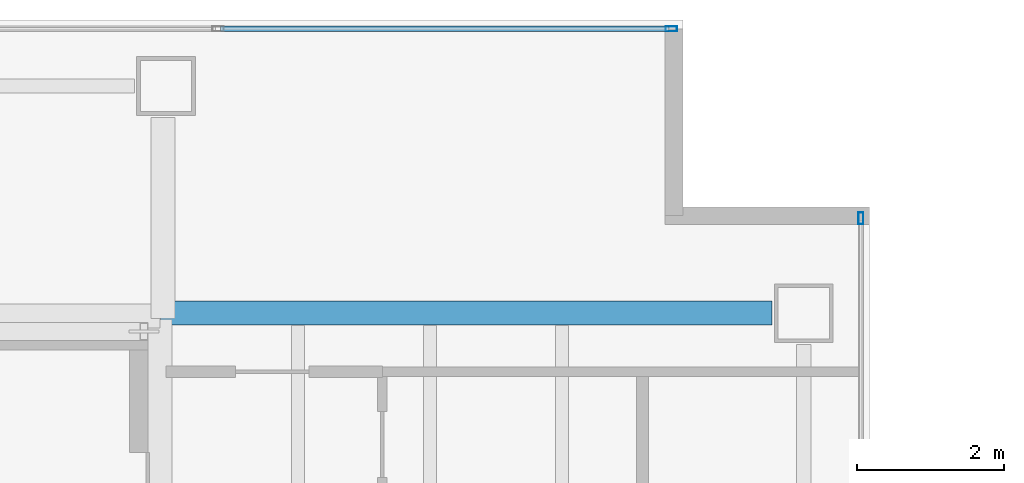
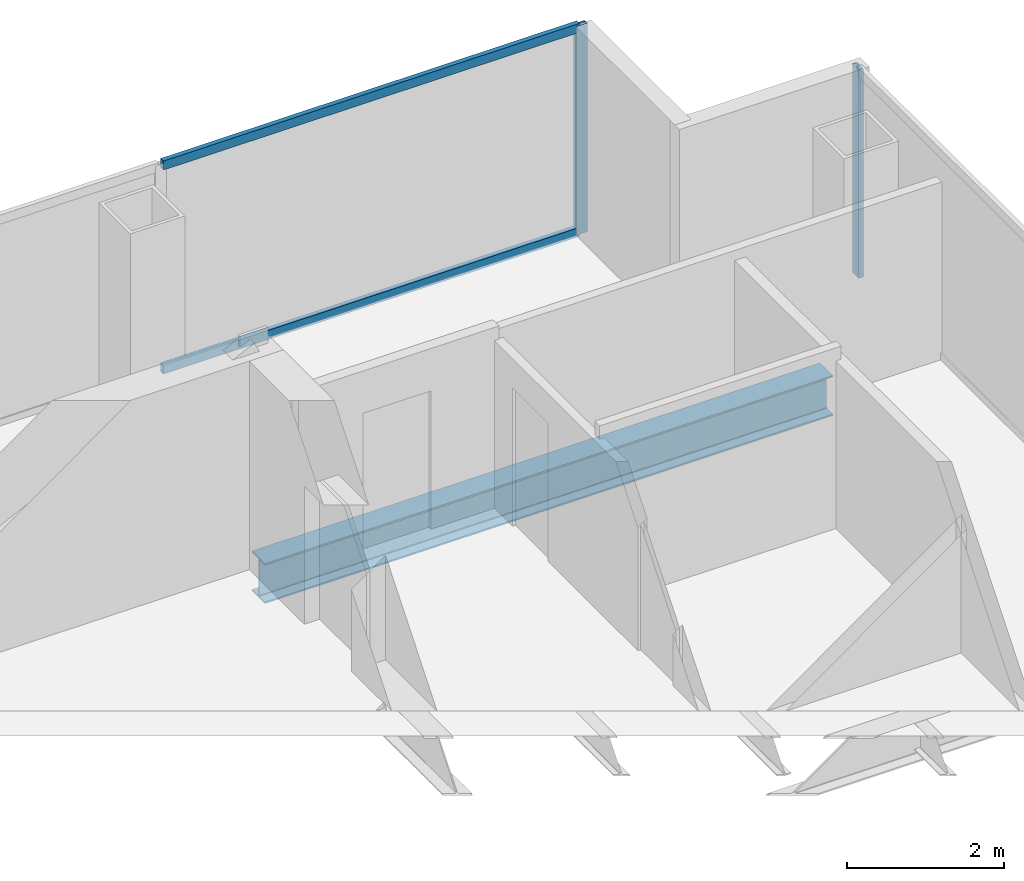
# One storey, part 18 of 23: 4 members, 1 beam, 2 elements without a shape of their own.
"""IFC4 building model written with IfcOpenShell, lengths in metres."""

import ifcopenshell
import ifcopenshell.guid

model = None  # the IFC model being written
_history = None  # IfcOwnerHistory: only IFC2X3 demands one
_inside = {}  # id of a spatial element -> (the spatial element, [elements in it])
_under = {}  # id of a project, library or spatial element -> (it, [spatial elements below it])
_declared = {}  # id of a project -> (the project, [libraries it declares])
_typed = {}  # id of a type object -> (the type object, [elements of that type])
_made_of = {}  # id of a material, layer set ... -> (it, [elements and type objects made of it])


def new_model(schema):
    """Start an empty IFC model of exactly this schema.

    Asked for "IFC4X3", IfcOpenShell would pick the latest addendum, in which some entities
    have other attributes; the version numbers below select the first issue.
    IFC2X3 requires an IfcOwnerHistory on every rooted entity: one is made here for all.
    """
    global model, _history
    if schema == "IFC4X3":
        model = ifcopenshell.file(schema_version=(4, 3, 0, 0))
    else:
        model = ifcopenshell.file(schema=schema)
    _inside.clear()
    _under.clear()
    _declared.clear()
    _typed.clear()
    _made_of.clear()
    _history = None
    if model.schema == "IFC2X3":
        org = make("IfcOrganization", Name="unknown")
        user = make(
            "IfcPersonAndOrganization",
            ThePerson=make("IfcPerson", FamilyName="unknown"),
            TheOrganization=org,
        )
        app = make(
            "IfcApplication",
            ApplicationDeveloper=org,
            Version="unknown",
            ApplicationFullName="unknown",
            ApplicationIdentifier="unknown",
        )
        _history = make(
            "IfcOwnerHistory",
            OwningUser=user,
            OwningApplication=app,
            ChangeAction="ADDED",
            CreationDate=0,
        )
    return model


def make(cls, **values):
    """One entity of the class cls with the attributes given. An attribute that is None is left unset."""
    return model.create_entity(
        cls, **{name: value for name, value in values.items() if value is not None}
    )


def rooted(cls, **values):
    """An entity with a GlobalId (a new one), such as an element, a storey or a relation."""
    return make(cls, GlobalId=ifcopenshell.guid.new(), OwnerHistory=_history, **values)


def si_unit(unit_type, name, prefix=None):
    """IfcSIUnit, for example si_unit("LENGTHUNIT", "METRE", prefix="MILLI")."""
    return make("IfcSIUnit", UnitType=unit_type, Prefix=prefix, Name=name)


def assignment(units):
    """IfcUnitAssignment: the units of a project."""
    return None if units is None else make("IfcUnitAssignment", Units=units)


def point(xyz):
    """IfcCartesianPoint."""
    return None if xyz is None else make("IfcCartesianPoint", Coordinates=xyz)


def direction(xyz):
    """IfcDirection."""
    return None if xyz is None else make("IfcDirection", DirectionRatios=xyz)


def frame(location, z_axis=None, x_axis=None):
    """IfcAxis2Placement3D, a coordinate frame: its origin and axes. An axis left out is left unset."""
    return make(
        "IfcAxis2Placement3D",
        Location=point(location),
        Axis=direction(z_axis),
        RefDirection=direction(x_axis),
    )


def frame_2d(location, x_axis=None):
    """IfcAxis2Placement2D, a coordinate frame in the plane: its origin and x axis."""
    return make(
        "IfcAxis2Placement2D", Location=point(location), RefDirection=direction(x_axis)
    )


def origin():
    """The frame at (0, 0, 0) with its axes left unset."""
    return frame((0.0, 0.0, 0.0))


def origin_2d():
    """The frame at (0, 0) in the plane with its x axis left unset."""
    return frame_2d((0.0, 0.0))


def place(relative_to, where):
    """IfcLocalPlacement: puts the frame where relative to a parent placement (None: the world)."""
    return make(
        "IfcLocalPlacement", PlacementRelTo=relative_to, RelativePlacement=where
    )


def context(
    kind, dimensions, precision=None, world=None, true_north=None, identifier=None
):
    """IfcGeometricRepresentationContext, for example the 3D "Model" context."""
    return make(
        "IfcGeometricRepresentationContext",
        ContextIdentifier=identifier,
        ContextType=kind,
        CoordinateSpaceDimension=dimensions,
        Precision=precision,
        WorldCoordinateSystem=world,
        TrueNorth=true_north,
    )


def subcontext(parent, identifier, kind, view, scale=None):
    """IfcGeometricRepresentationSubContext, for example "Body" below "Model"."""
    return make(
        "IfcGeometricRepresentationSubContext",
        ContextIdentifier=identifier,
        ContextType=kind,
        ParentContext=parent,
        TargetScale=scale,
        TargetView=view,
    )


def project(units=None, contexts=None):
    """IfcProject with its units and contexts."""
    return rooted(
        "IfcProject",
        Name="project",
        RepresentationContexts=contexts,
        UnitsInContext=assignment(units),
    )


def spatial(cls, under=None, at=None, **own):
    """A site, building, storey or space (cls), placed at a placement, below another one or the project."""
    s = rooted(cls, ObjectPlacement=at, **own)
    if under is not None:
        _under.setdefault(under.id(), (under, []))[1].append(s)
    return s


def profile(cls, at=None, kind="AREA", **sizes):
    """A parametric profile (cls). Its sizes go by their IFC names, for example OverallWidth=200.0."""
    return make(cls, ProfileType=kind, Position=at, **sizes)


def hollow_rectangle(**sizes):
    """IfcRectangleHollowProfileDef."""
    return profile("IfcRectangleHollowProfileDef", **sizes)


def i_section(**sizes):
    """IfcIShapeProfileDef."""
    return profile("IfcIShapeProfileDef", **sizes)


def extrude(swept, where, along, depth):
    """IfcExtrudedAreaSolid: the profile swept, set in the frame where, extruded along a direction by depth."""
    return make(
        "IfcExtrudedAreaSolid",
        SweptArea=swept,
        Position=where,
        ExtrudedDirection=direction(along),
        Depth=depth,
    )


def shape(context_of_items, identifier, shape_type, items):
    """IfcShapeRepresentation: the items that make up one representation, for example the "Body"."""
    return make(
        "IfcShapeRepresentation",
        ContextOfItems=context_of_items,
        RepresentationIdentifier=identifier,
        RepresentationType=shape_type,
        Items=items,
    )


def material(Name=None, Category=None):
    """IfcMaterial."""
    return make("IfcMaterial", Name=Name, Category=Category)


def material_profile(
    of_material, cross_section, Name=None, Category=None, Priority=None
):
    """IfcMaterialProfile: a cross section and its material."""
    return make(
        "IfcMaterialProfile",
        Name=Name,
        Material=of_material,
        Profile=cross_section,
        Priority=Priority,
        Category=Category,
    )


def profile_set(profiles, Name=None, composite=None):
    """IfcMaterialProfileSet."""
    return make(
        "IfcMaterialProfileSet",
        Name=Name,
        MaterialProfiles=profiles,
        CompositeProfile=composite,
    )


def made_of(thing, what):
    """Note that an element or type object is made of a material, layer set ...; save() writes the relation."""
    if what is not None:
        _made_of.setdefault(what.id(), (what, []))[1].append(thing)
    return thing


def type_object(cls, material=None, **own):
    """A type object (cls), such as IfcWallType, which elements share."""
    return made_of(rooted(cls, **own), material)


def element(
    cls,
    number,
    at=None,
    inside=None,
    cuts=None,
    type_object=None,
    material=None,
    context=None,
    identifier="Body",
    shape_type=None,
    held_by="IfcProductDefinitionShape",
    body=None,
    shapes=None,
    **own,
):
    """One element of the class cls, such as IfcWall. Its Tag is "e" and its number.

    at: its placement. inside: the storey or other place that contains it. cuts: it is an
    opening in that element (IfcRelVoidsElement). A single representation is given by context,
    identifier, shape_type and body (its items); several are given by shapes. held_by: the class
    of the entity that holds the representations. save() writes the other relations.
    """
    e = rooted(cls, Tag="e%d" % number, ObjectPlacement=at, **own)
    if body is not None:
        shapes = [shape(context, identifier, shape_type, body)]
    if shapes is not None:
        e.Representation = make(held_by, Representations=shapes)
    if inside is not None:
        _inside.setdefault(inside.id(), (inside, []))[1].append(e)
    if cuts is not None:
        rooted(
            "IfcRelVoidsElement", RelatingBuildingElement=cuts, RelatedOpeningElement=e
        )
    if type_object is not None:
        _typed.setdefault(type_object.id(), (type_object, []))[1].append(e)
    return made_of(e, material)


def aggregate(whole, parts):
    """IfcRelAggregates: a whole, such as a stair, and the parts it consists of."""
    return rooted("IfcRelAggregates", RelatingObject=whole, RelatedObjects=parts)


def save(model, path):
    """Write the relations noted so far, then the file.

    IfcRelAggregates (storeys below a building ...), IfcRelContainedInSpatialStructure (elements
    in a storey), IfcRelDefinesByType, IfcRelAssociatesMaterial and IfcRelDeclares: one each for
    every whole, place, type object, material and project.
    """
    for whole, parts in _under.values():
        aggregate(whole, parts)
    for where, things in _inside.values():
        rooted(
            "IfcRelContainedInSpatialStructure",
            RelatedElements=things,
            RelatingStructure=where,
        )
    for kind, things in _typed.values():
        rooted("IfcRelDefinesByType", RelatedObjects=things, RelatingType=kind)
    for what, things in _made_of.values():
        rooted("IfcRelAssociatesMaterial", RelatedObjects=things, RelatingMaterial=what)
    for by, libraries in _declared.values():
        rooted("IfcRelDeclares", RelatingContext=by, RelatedDefinitions=libraries)
    model.write(path)


model = new_model("IFC4")

# Units and contexts
model_context = context("Model", 3, precision=1e-05, world=origin(), true_north=direction((0.0, 1.0)))
body_context = subcontext(model_context, "Body", "Model", "MODEL_VIEW")
ifc_project = project(units=[si_unit("LENGTHUNIT", "METRE"), si_unit("AREAUNIT", "SQUARE_METRE"), si_unit("VOLUMEUNIT", "CUBIC_METRE"), si_unit("PLANEANGLEUNIT", "RADIAN"), si_unit("MASSUNIT", "GRAM", prefix="KILO")], contexts=[model_context])

# Site, building, storey
site_placement = place(None, origin())
site = spatial("IfcSite", under=ifc_project, at=site_placement, CompositionType="ELEMENT")
building_placement = place(site_placement, origin())
building = spatial("IfcBuilding", under=site, at=building_placement, Name="Cobrela Telecom Tower", CompositionType="ELEMENT")
storey_placement = place(building_placement, frame((0.0, 0.0, 187.25)))
storey = spatial("IfcBuildingStorey", under=building, at=storey_placement, Name="L47", CompositionType="ELEMENT", Elevation=187.25)

# Beam
ifc_material_1 = material(Name="Steel ASTM A992 Grade 50", Category="steel")
ifc_material_profile_1 = material_profile(ifc_material_1, i_section(OverallWidth=0.327880859375, OverallDepth=0.6220703125, WebThickness=0.015380859375, FlangeThickness=0.0244140625, FilletRadius=0.014892578125, at=origin_2d()), Name="W24X131")
ifc_profile_set_1 = profile_set([ifc_material_profile_1], Name="Steel ASTM A992 Grade 50")
beam_type = type_object("IfcBeamType", Name="BM-GIRD-06", PredefinedType="USERDEFINED", material=ifc_profile_set_1)
beam_placement = place(storey_placement, frame((14.324951171875, 36.0, -0.571044921875), z_axis=(1.0, 0.0, 0.0), x_axis=(0.0, 1.0, 0.0)))
element("IfcBeam", 1, at=beam_placement, inside=storey, type_object=beam_type, Name="L47 Primary Girder X22", ObjectType="GIRDER", PredefinedType="USERDEFINED", context=body_context, shape_type="SweptSolid", body=[
    extrude(i_section(OverallWidth=0.327880859375, OverallDepth=0.6220703125, WebThickness=0.015380859375, FlangeThickness=0.0244140625, FilletRadius=0.014892578125, at=origin_2d()), origin(), (0.0, 0.0, 1.0), 8.344970703125),
])

# Curtain wall, member
ifc_material_2 = material(Name="Anodized Bronze Aluminium 6063-T6", Category="aluminium")
curtain_wall_type = type_object("IfcCurtainWallType", Name="CW-SYS-OFF-LO", PredefinedType="USERDEFINED", material=ifc_material_2)
curtain_wall_1_placement = place(storey_placement, origin())
curtain_wall_1 = element("IfcCurtainWall", 2, at=curtain_wall_1_placement, inside=storey, type_object=curtain_wall_type, Name="L47 Unitised Bronze Curtain Wall 07", ObjectType="UNITISED CURTAIN WALL", PredefinedType="USERDEFINED")
ifc_material_profile_2 = material_profile(ifc_material_2, hollow_rectangle(XDim=0.070068359375, YDim=0.159912109375, WallThickness=0.00390625, at=origin_2d()), Name="ALU 70x160x4")
ifc_profile_set_2 = profile_set([ifc_material_profile_2], Name="Anodized Bronze Aluminium 6063-T6")
member_type_1 = type_object("IfcMemberType", Name="CW-SYS-OFF-LO-MUL", PredefinedType="MULLION", material=ifc_profile_set_2)
member_1_placement = place(storey_placement, frame((21.294921875, 39.8798828125, 0.0), z_axis=(0.0, 0.0, 1.0), x_axis=(0.0, 1.0, 0.0)))
member_1 = element("IfcMember", 3, at=member_1_placement, type_object=member_type_1, Name="CW-OFF-LO mullion 4", PredefinedType="MULLION", context=body_context, shape_type="SweptSolid", body=[
    extrude(hollow_rectangle(XDim=0.070068359375, YDim=0.159912109375, WallThickness=0.00390625, at=origin_2d()), origin(), (0.0, 0.0, 1.0), 3.239990234375),
])

curtain_wall_2_placement = place(storey_placement, origin())
curtain_wall_2 = element("IfcCurtainWall", 4, at=curtain_wall_2_placement, inside=storey, type_object=curtain_wall_type, Name="L47 Unitised Bronze Curtain Wall 10", ObjectType="UNITISED CURTAIN WALL", PredefinedType="USERDEFINED")
member_2_placement = place(storey_placement, frame((23.8798828125, 37.294921875, 0.0), z_axis=(0.0, 0.0, 1.0), x_axis=(1.0, 0.0, 0.0)))
member_2 = element("IfcMember", 5, at=member_2_placement, type_object=member_type_1, Name="CW-OFF-LO mullion 1", PredefinedType="MULLION", context=body_context, shape_type="SweptSolid", body=[
    extrude(hollow_rectangle(XDim=0.070068359375, YDim=0.159912109375, WallThickness=0.00390625, at=origin_2d()), origin(), (0.0, 0.0, 1.0), 3.239990234375),
])
aggregate(curtain_wall_2, [member_2])

# Member
ifc_material_profile_3 = material_profile(ifc_material_2, hollow_rectangle(XDim=0.070068359375, YDim=0.139892578125, WallThickness=0.00390625, at=origin_2d()), Name="ALU 70x140x4")
ifc_profile_set_3 = profile_set([ifc_material_profile_3], Name="Anodized Bronze Aluminium 6063-T6")
member_type_2 = type_object("IfcMemberType", Name="CW-SYS-OFF-LO-TRN", PredefinedType="USERDEFINED", material=ifc_profile_set_3)
member_3_placement = place(storey_placement, frame((15.14501953125, 39.8798828125, 0.034912109375), z_axis=(1.0, 0.0, 0.0), x_axis=(0.0, 1.0, 0.0)))
member_3 = element("IfcMember", 6, at=member_3_placement, type_object=member_type_2, Name="CW-OFF-LO transom 3.1", ObjectType="TRANSOM", PredefinedType="USERDEFINED", context=body_context, shape_type="SweptSolid", body=[
    extrude(hollow_rectangle(XDim=0.070068359375, YDim=0.139892578125, WallThickness=0.00390625, at=origin_2d()), origin(), (0.0, 0.0, 1.0), 6.114990234375),
])

member_4_placement = place(storey_placement, frame((15.14501953125, 39.8798828125, 3.205078125), z_axis=(1.0, 0.0, 0.0), x_axis=(0.0, 1.0, 0.0)))
member_4 = element("IfcMember", 7, at=member_4_placement, type_object=member_type_2, Name="CW-OFF-LO transom 3.2", ObjectType="TRANSOM", PredefinedType="USERDEFINED", context=body_context, shape_type="SweptSolid", body=[
    extrude(hollow_rectangle(XDim=0.070068359375, YDim=0.139892578125, WallThickness=0.00390625, at=origin_2d()), origin(), (0.0, 0.0, 1.0), 6.114990234375),
])

aggregate(curtain_wall_1, [member_1, member_3, member_4])

save(model, "model.ifc")
